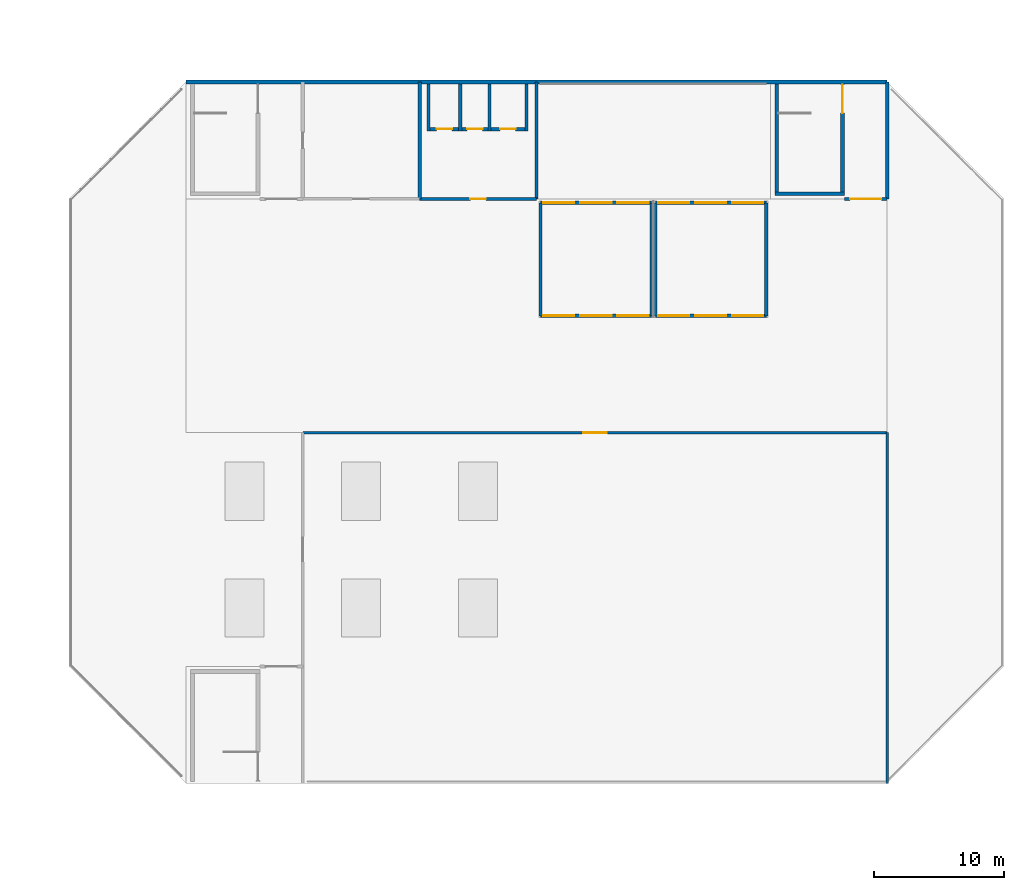
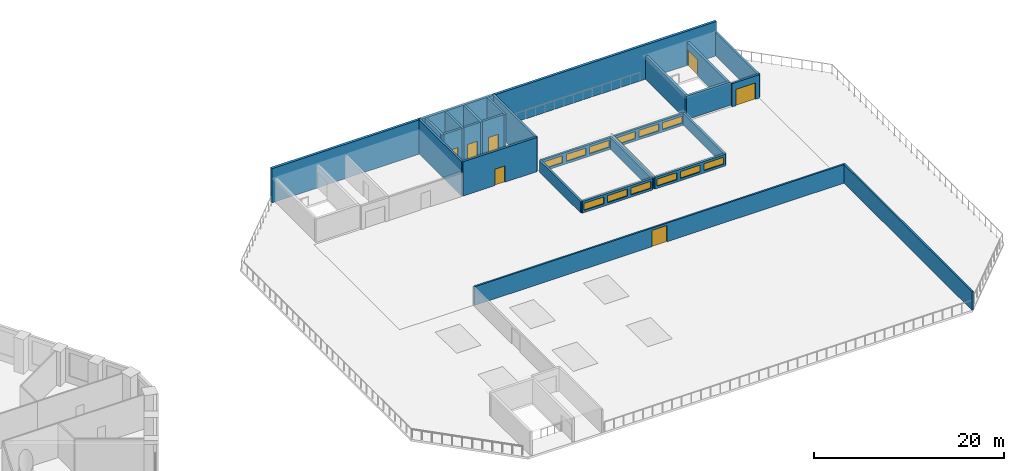
# One storey, part 14 of 21: 24 walls, 12 windows, 7 doors, 19 openings.
"""IFC4 building model written with IfcOpenShell, lengths in metres."""

from ifc_helpers import new_model, si_unit, direction, frame, frame_2d, origin, place, context, subcontext, project, spatial, rectangle, extrude, material, layer, layer_set, type_object, element, fill, save


model = new_model("IFC4")

# Units and contexts
model_context = context("Model", 3, precision=1e-05, world=origin(), true_north=direction((0.0, 1.0)))
body_context = subcontext(model_context, "Body", "Model", "MODEL_VIEW")
ifc_project = project(units=[si_unit("LENGTHUNIT", "METRE"), si_unit("AREAUNIT", "SQUARE_METRE"), si_unit("VOLUMEUNIT", "CUBIC_METRE"), si_unit("PLANEANGLEUNIT", "RADIAN"), si_unit("MASSUNIT", "GRAM", prefix="KILO")], contexts=[model_context])

# Site, building, storey
site_placement = place(None, origin())
site = spatial("IfcSite", under=ifc_project, at=site_placement, CompositionType="ELEMENT")
building_placement = place(site_placement, origin())
building = spatial("IfcBuilding", under=site, at=building_placement, Name="Dhurran Vertical Campus", CompositionType="ELEMENT")
storey_placement = place(building_placement, frame((0.0, 0.0, 20.39990234375)))
storey = spatial("IfcBuildingStorey", under=building, at=storey_placement, Name="L04", CompositionType="ELEMENT", Elevation=20.39990234375)

# Wall
ifc_material_1 = material(Name="Concrete C40/50", Category="concrete")
ifc_layer_1 = layer(ifc_material_1, 0.300048828125)
ifc_layer_set_1 = layer_set([ifc_layer_1], Name="Concrete C40/50")
wall_type_1 = type_object("IfcWallType", Name="hl-head house wall 300", PredefinedType="SHEAR", material=ifc_layer_set_1)
wall_1_placement = place(storey_placement, frame((124.5, 27.0, 0.0), z_axis=(0.0, 0.0, 1.0), x_axis=(-1.0, 0.0, 0.0)))
element("IfcWall", 1, at=wall_1_placement, inside=storey, type_object=wall_type_1, Name="Hall head house wall 001", PredefinedType="SHEAR", context=body_context, shape_type="SweptSolid", body=[
    extrude(rectangle(XDim=54.0, YDim=0.300048828125, at=frame_2d((27.0, 0.0))), origin(), (0.0, 0.0, 1.0), 4.400146484375),
])

# Wall, openings, windows
ifc_material_2 = material(Name="Concrete C40/50", Category="concrete")
ifc_layer_2 = layer(ifc_material_2, 0.25)
ifc_layer_set_2 = layer_set([ifc_layer_2], Name="Concrete C40/50")
wall_type_2 = type_object("IfcWallType", Name="hl-lantern kerb wall 250", PredefinedType="SHEAR", material=ifc_layer_set_2)
wall_2_placement = place(storey_placement, frame((97.800048828125, 9.0, 0.0), z_axis=(0.0, 0.0, 1.0), x_axis=(1.0, 0.0, 0.0)))
wall_2 = element("IfcWall", 2, at=wall_2_placement, inside=storey, type_object=wall_type_2, Name="Lantern 1 kerb wall S", PredefinedType="SHEAR", context=body_context, shape_type="SweptSolid", body=[
    extrude(rectangle(XDim=8.550048828125, YDim=0.25, at=frame_2d((4.27490234375, 0.0))), origin(), (0.0, 0.0, 1.0), 1.5),
])
opening_1_placement = place(wall_2_placement, frame((0.22509765625, 0.0, 0.300048828125)))
opening_1 = element("IfcOpeningElement", 3, at=opening_1_placement, cuts=wall_2, Name="Opening CL01", PredefinedType="OPENING", context=body_context, shape_type="SweptSolid", body=[
    extrude(rectangle(XDim=2.39990234375, YDim=0.89990234375, at=frame_2d((1.199951171875, 0.449951171875))), frame((0.0, 0.135009765625, 0.0), z_axis=(0.0, -1.0, 0.0), x_axis=(1.0, 0.0, 0.0)), (0.0, 0.0, 1.0), 0.27001953125),
])
opening_2_placement = place(wall_2_placement, frame((3.074951171875, 0.0, 0.300048828125)))
opening_2 = element("IfcOpeningElement", 4, at=opening_2_placement, cuts=wall_2, Name="Opening CL02", PredefinedType="OPENING", context=body_context, shape_type="SweptSolid", body=[
    extrude(rectangle(XDim=2.39990234375, YDim=0.89990234375, at=frame_2d((1.199951171875, 0.449951171875))), frame((0.0, 0.135009765625, 0.0), z_axis=(0.0, -1.0, 0.0), x_axis=(1.0, 0.0, 0.0)), (0.0, 0.0, 1.0), 0.27001953125),
])
opening_3_placement = place(wall_2_placement, frame((5.925048828125, 0.0, 0.300048828125)))
opening_3 = element("IfcOpeningElement", 5, at=opening_3_placement, cuts=wall_2, Name="Opening CL03", PredefinedType="OPENING", context=body_context, shape_type="SweptSolid", body=[
    extrude(rectangle(XDim=2.39990234375, YDim=0.89990234375, at=frame_2d((1.199951171875, 0.449951171875))), frame((0.0, 0.135009765625, 0.0), z_axis=(0.0, -1.0, 0.0), x_axis=(1.0, 0.0, 0.0)), (0.0, 0.0, 1.0), 0.27001953125),
])
ifc_material_3 = material(Name="Aluminium", Category="aluminium")
window_type = type_object("IfcWindowType", Name="hl-clerestory window 2400x900", PartitioningType="SINGLE_PANEL", PredefinedType="WINDOW", material=ifc_material_3)
window_1_placement = place(opening_1_placement, origin())
window_1 = element("IfcWindow", 6, at=window_1_placement, inside=storey, type_object=window_type, Name="Clerestory window CL01", OverallHeight=0.89990234375, OverallWidth=2.39990234375, PartitioningType="SINGLE_PANEL", PredefinedType="WINDOW", context=body_context, shape_type="SweptSolid", body=[
    extrude(rectangle(XDim=2.39990234375, YDim=0.89990234375, at=frame_2d((1.199951171875, 0.449951171875))), frame((0.0, 0.030029296875, 0.0), z_axis=(0.0, -1.0, 0.0), x_axis=(1.0, 0.0, 0.0)), (0.0, 0.0, 1.0), 0.06005859375),
])
fill(opening_1, window_1)
window_2_placement = place(opening_2_placement, origin())
window_2 = element("IfcWindow", 7, at=window_2_placement, inside=storey, type_object=window_type, Name="Clerestory window CL02", OverallHeight=0.89990234375, OverallWidth=2.39990234375, PartitioningType="SINGLE_PANEL", PredefinedType="WINDOW", context=body_context, shape_type="SweptSolid", body=[
    extrude(rectangle(XDim=2.39990234375, YDim=0.89990234375, at=frame_2d((1.199951171875, 0.449951171875))), frame((0.0, 0.030029296875, 0.0), z_axis=(0.0, -1.0, 0.0), x_axis=(1.0, 0.0, 0.0)), (0.0, 0.0, 1.0), 0.06005859375),
])
fill(opening_2, window_2)
window_3_placement = place(opening_3_placement, origin())
window_3 = element("IfcWindow", 8, at=window_3_placement, inside=storey, type_object=window_type, Name="Clerestory window CL03", OverallHeight=0.89990234375, OverallWidth=2.39990234375, PartitioningType="SINGLE_PANEL", PredefinedType="WINDOW", context=body_context, shape_type="SweptSolid", body=[
    extrude(rectangle(XDim=2.39990234375, YDim=0.89990234375, at=frame_2d((1.199951171875, 0.449951171875))), frame((0.0, 0.030029296875, 0.0), z_axis=(0.0, -1.0, 0.0), x_axis=(1.0, 0.0, 0.0)), (0.0, 0.0, 1.0), 0.06005859375),
])
fill(opening_3, window_3)

wall_3_placement = place(storey_placement, frame((97.800048828125, 17.699951171875, 0.0), z_axis=(0.0, 0.0, 1.0), x_axis=(1.0, 0.0, 0.0)))
wall_3 = element("IfcWall", 9, at=wall_3_placement, inside=storey, type_object=wall_type_2, Name="Lantern 1 kerb wall N", PredefinedType="SHEAR", context=body_context, shape_type="SweptSolid", body=[
    extrude(rectangle(XDim=8.550048828125, YDim=0.25, at=frame_2d((4.27490234375, 0.0))), origin(), (0.0, 0.0, 1.0), 1.5),
])
opening_4_placement = place(wall_3_placement, frame((0.22509765625, 0.0, 0.300048828125)))
opening_4 = element("IfcOpeningElement", 10, at=opening_4_placement, cuts=wall_3, Name="Opening CL04", PredefinedType="OPENING", context=body_context, shape_type="SweptSolid", body=[
    extrude(rectangle(XDim=2.39990234375, YDim=0.89990234375, at=frame_2d((1.199951171875, 0.449951171875))), frame((0.0, 0.135009765625, 0.0), z_axis=(0.0, -1.0, 0.0), x_axis=(1.0, 0.0, 0.0)), (0.0, 0.0, 1.0), 0.27001953125),
])
opening_5_placement = place(wall_3_placement, frame((3.074951171875, 0.0, 0.300048828125)))
opening_5 = element("IfcOpeningElement", 11, at=opening_5_placement, cuts=wall_3, Name="Opening CL05", PredefinedType="OPENING", context=body_context, shape_type="SweptSolid", body=[
    extrude(rectangle(XDim=2.39990234375, YDim=0.89990234375, at=frame_2d((1.199951171875, 0.449951171875))), frame((0.0, 0.135009765625, 0.0), z_axis=(0.0, -1.0, 0.0), x_axis=(1.0, 0.0, 0.0)), (0.0, 0.0, 1.0), 0.27001953125),
])
opening_6_placement = place(wall_3_placement, frame((5.925048828125, 0.0, 0.300048828125)))
opening_6 = element("IfcOpeningElement", 12, at=opening_6_placement, cuts=wall_3, Name="Opening CL06", PredefinedType="OPENING", context=body_context, shape_type="SweptSolid", body=[
    extrude(rectangle(XDim=2.39990234375, YDim=0.89990234375, at=frame_2d((1.199951171875, 0.449951171875))), frame((0.0, 0.135009765625, 0.0), z_axis=(0.0, -1.0, 0.0), x_axis=(1.0, 0.0, 0.0)), (0.0, 0.0, 1.0), 0.27001953125),
])
window_4_placement = place(opening_4_placement, origin())
window_4 = element("IfcWindow", 13, at=window_4_placement, inside=storey, type_object=window_type, Name="Clerestory window CL04", OverallHeight=0.89990234375, OverallWidth=2.39990234375, PartitioningType="SINGLE_PANEL", PredefinedType="WINDOW", context=body_context, shape_type="SweptSolid", body=[
    extrude(rectangle(XDim=2.39990234375, YDim=0.89990234375, at=frame_2d((1.199951171875, 0.449951171875))), frame((0.0, 0.030029296875, 0.0), z_axis=(0.0, -1.0, 0.0), x_axis=(1.0, 0.0, 0.0)), (0.0, 0.0, 1.0), 0.06005859375),
])
fill(opening_4, window_4)
window_5_placement = place(opening_5_placement, origin())
window_5 = element("IfcWindow", 14, at=window_5_placement, inside=storey, type_object=window_type, Name="Clerestory window CL05", OverallHeight=0.89990234375, OverallWidth=2.39990234375, PartitioningType="SINGLE_PANEL", PredefinedType="WINDOW", context=body_context, shape_type="SweptSolid", body=[
    extrude(rectangle(XDim=2.39990234375, YDim=0.89990234375, at=frame_2d((1.199951171875, 0.449951171875))), frame((0.0, 0.030029296875, 0.0), z_axis=(0.0, -1.0, 0.0), x_axis=(1.0, 0.0, 0.0)), (0.0, 0.0, 1.0), 0.06005859375),
])
fill(opening_5, window_5)
window_6_placement = place(opening_6_placement, origin())
window_6 = element("IfcWindow", 15, at=window_6_placement, inside=storey, type_object=window_type, Name="Clerestory window CL06", OverallHeight=0.89990234375, OverallWidth=2.39990234375, PartitioningType="SINGLE_PANEL", PredefinedType="WINDOW", context=body_context, shape_type="SweptSolid", body=[
    extrude(rectangle(XDim=2.39990234375, YDim=0.89990234375, at=frame_2d((1.199951171875, 0.449951171875))), frame((0.0, 0.030029296875, 0.0), z_axis=(0.0, -1.0, 0.0), x_axis=(1.0, 0.0, 0.0)), (0.0, 0.0, 1.0), 0.06005859375),
])
fill(opening_6, window_6)

# Walls
for number, where, z_axis, x_axis, name in (
    (16, (97.800048828125, 9.0, 0.0), (0.0, 0.0, 1.0), (0.0, 1.0, 0.0), "Lantern 1 kerb wall W"),
    (17, (106.35009765625, 9.0, 0.0), (0.0, 0.0, 1.0), (0.0, 1.0, 0.0), "Lantern 1 kerb wall E"),
):
    element("IfcWall", number, at=place(storey_placement, frame(where, z_axis=z_axis, x_axis=x_axis)), inside=storey, type_object=wall_type_2, Name=name, PredefinedType="SHEAR", context=body_context, shape_type="SweptSolid", body=[
        extrude(rectangle(XDim=8.699951171875, YDim=0.25, at=frame_2d((4.35009765625, 0.0))), origin(), (0.0, 0.0, 1.0), 1.5),
    ])

# Wall, openings, windows
wall_4_placement = place(storey_placement, frame((106.64990234375, 9.0, 0.0), z_axis=(0.0, 0.0, 1.0), x_axis=(1.0, 0.0, 0.0)))
wall_4 = element("IfcWall", 18, at=wall_4_placement, inside=storey, type_object=wall_type_2, Name="Lantern 2 kerb wall S", PredefinedType="SHEAR", context=body_context, shape_type="SweptSolid", body=[
    extrude(rectangle(XDim=8.550048828125, YDim=0.25, at=frame_2d((4.27490234375, 0.0))), origin(), (0.0, 0.0, 1.0), 1.5),
])
opening_7_placement = place(wall_4_placement, frame((0.22509765625, 0.0, 0.300048828125)))
opening_7 = element("IfcOpeningElement", 19, at=opening_7_placement, cuts=wall_4, Name="Opening CL07", PredefinedType="OPENING", context=body_context, shape_type="SweptSolid", body=[
    extrude(rectangle(XDim=2.39990234375, YDim=0.89990234375, at=frame_2d((1.199951171875, 0.449951171875))), frame((0.0, 0.135009765625, 0.0), z_axis=(0.0, -1.0, 0.0), x_axis=(1.0, 0.0, 0.0)), (0.0, 0.0, 1.0), 0.27001953125),
])
opening_8_placement = place(wall_4_placement, frame((3.074951171875, 0.0, 0.300048828125)))
opening_8 = element("IfcOpeningElement", 20, at=opening_8_placement, cuts=wall_4, Name="Opening CL08", PredefinedType="OPENING", context=body_context, shape_type="SweptSolid", body=[
    extrude(rectangle(XDim=2.39990234375, YDim=0.89990234375, at=frame_2d((1.199951171875, 0.449951171875))), frame((0.0, 0.135009765625, 0.0), z_axis=(0.0, -1.0, 0.0), x_axis=(1.0, 0.0, 0.0)), (0.0, 0.0, 1.0), 0.27001953125),
])
opening_9_placement = place(wall_4_placement, frame((5.925048828125, 0.0, 0.300048828125)))
opening_9 = element("IfcOpeningElement", 21, at=opening_9_placement, cuts=wall_4, Name="Opening CL09", PredefinedType="OPENING", context=body_context, shape_type="SweptSolid", body=[
    extrude(rectangle(XDim=2.39990234375, YDim=0.89990234375, at=frame_2d((1.199951171875, 0.449951171875))), frame((0.0, 0.135009765625, 0.0), z_axis=(0.0, -1.0, 0.0), x_axis=(1.0, 0.0, 0.0)), (0.0, 0.0, 1.0), 0.27001953125),
])
window_7_placement = place(opening_7_placement, origin())
window_7 = element("IfcWindow", 22, at=window_7_placement, inside=storey, type_object=window_type, Name="Clerestory window CL07", OverallHeight=0.89990234375, OverallWidth=2.39990234375, PartitioningType="SINGLE_PANEL", PredefinedType="WINDOW", context=body_context, shape_type="SweptSolid", body=[
    extrude(rectangle(XDim=2.39990234375, YDim=0.89990234375, at=frame_2d((1.199951171875, 0.449951171875))), frame((0.0, 0.030029296875, 0.0), z_axis=(0.0, -1.0, 0.0), x_axis=(1.0, 0.0, 0.0)), (0.0, 0.0, 1.0), 0.06005859375),
])
fill(opening_7, window_7)
window_8_placement = place(opening_8_placement, origin())
window_8 = element("IfcWindow", 23, at=window_8_placement, inside=storey, type_object=window_type, Name="Clerestory window CL08", OverallHeight=0.89990234375, OverallWidth=2.39990234375, PartitioningType="SINGLE_PANEL", PredefinedType="WINDOW", context=body_context, shape_type="SweptSolid", body=[
    extrude(rectangle(XDim=2.39990234375, YDim=0.89990234375, at=frame_2d((1.199951171875, 0.449951171875))), frame((0.0, 0.030029296875, 0.0), z_axis=(0.0, -1.0, 0.0), x_axis=(1.0, 0.0, 0.0)), (0.0, 0.0, 1.0), 0.06005859375),
])
fill(opening_8, window_8)
window_9_placement = place(opening_9_placement, origin())
window_9 = element("IfcWindow", 24, at=window_9_placement, inside=storey, type_object=window_type, Name="Clerestory window CL09", OverallHeight=0.89990234375, OverallWidth=2.39990234375, PartitioningType="SINGLE_PANEL", PredefinedType="WINDOW", context=body_context, shape_type="SweptSolid", body=[
    extrude(rectangle(XDim=2.39990234375, YDim=0.89990234375, at=frame_2d((1.199951171875, 0.449951171875))), frame((0.0, 0.030029296875, 0.0), z_axis=(0.0, -1.0, 0.0), x_axis=(1.0, 0.0, 0.0)), (0.0, 0.0, 1.0), 0.06005859375),
])
fill(opening_9, window_9)

wall_5_placement = place(storey_placement, frame((106.64990234375, 17.699951171875, 0.0), z_axis=(0.0, 0.0, 1.0), x_axis=(1.0, 0.0, 0.0)))
wall_5 = element("IfcWall", 25, at=wall_5_placement, inside=storey, type_object=wall_type_2, Name="Lantern 2 kerb wall N", PredefinedType="SHEAR", context=body_context, shape_type="SweptSolid", body=[
    extrude(rectangle(XDim=8.550048828125, YDim=0.25, at=frame_2d((4.27490234375, 0.0))), origin(), (0.0, 0.0, 1.0), 1.5),
])
opening_10_placement = place(wall_5_placement, frame((0.22509765625, 0.0, 0.300048828125)))
opening_10 = element("IfcOpeningElement", 26, at=opening_10_placement, cuts=wall_5, Name="Opening CL10", PredefinedType="OPENING", context=body_context, shape_type="SweptSolid", body=[
    extrude(rectangle(XDim=2.39990234375, YDim=0.89990234375, at=frame_2d((1.199951171875, 0.449951171875))), frame((0.0, 0.135009765625, 0.0), z_axis=(0.0, -1.0, 0.0), x_axis=(1.0, 0.0, 0.0)), (0.0, 0.0, 1.0), 0.27001953125),
])
opening_11_placement = place(wall_5_placement, frame((3.074951171875, 0.0, 0.300048828125)))
opening_11 = element("IfcOpeningElement", 27, at=opening_11_placement, cuts=wall_5, Name="Opening CL11", PredefinedType="OPENING", context=body_context, shape_type="SweptSolid", body=[
    extrude(rectangle(XDim=2.39990234375, YDim=0.89990234375, at=frame_2d((1.199951171875, 0.449951171875))), frame((0.0, 0.135009765625, 0.0), z_axis=(0.0, -1.0, 0.0), x_axis=(1.0, 0.0, 0.0)), (0.0, 0.0, 1.0), 0.27001953125),
])
opening_12_placement = place(wall_5_placement, frame((5.925048828125, 0.0, 0.300048828125)))
opening_12 = element("IfcOpeningElement", 28, at=opening_12_placement, cuts=wall_5, Name="Opening CL12", PredefinedType="OPENING", context=body_context, shape_type="SweptSolid", body=[
    extrude(rectangle(XDim=2.39990234375, YDim=0.89990234375, at=frame_2d((1.199951171875, 0.449951171875))), frame((0.0, 0.135009765625, 0.0), z_axis=(0.0, -1.0, 0.0), x_axis=(1.0, 0.0, 0.0)), (0.0, 0.0, 1.0), 0.27001953125),
])
window_10_placement = place(opening_10_placement, origin())
window_10 = element("IfcWindow", 29, at=window_10_placement, inside=storey, type_object=window_type, Name="Clerestory window CL10", OverallHeight=0.89990234375, OverallWidth=2.39990234375, PartitioningType="SINGLE_PANEL", PredefinedType="WINDOW", context=body_context, shape_type="SweptSolid", body=[
    extrude(rectangle(XDim=2.39990234375, YDim=0.89990234375, at=frame_2d((1.199951171875, 0.449951171875))), frame((0.0, 0.030029296875, 0.0), z_axis=(0.0, -1.0, 0.0), x_axis=(1.0, 0.0, 0.0)), (0.0, 0.0, 1.0), 0.06005859375),
])
fill(opening_10, window_10)
window_11_placement = place(opening_11_placement, origin())
window_11 = element("IfcWindow", 30, at=window_11_placement, inside=storey, type_object=window_type, Name="Clerestory window CL11", OverallHeight=0.89990234375, OverallWidth=2.39990234375, PartitioningType="SINGLE_PANEL", PredefinedType="WINDOW", context=body_context, shape_type="SweptSolid", body=[
    extrude(rectangle(XDim=2.39990234375, YDim=0.89990234375, at=frame_2d((1.199951171875, 0.449951171875))), frame((0.0, 0.030029296875, 0.0), z_axis=(0.0, -1.0, 0.0), x_axis=(1.0, 0.0, 0.0)), (0.0, 0.0, 1.0), 0.06005859375),
])
fill(opening_11, window_11)
window_12_placement = place(opening_12_placement, origin())
window_12 = element("IfcWindow", 31, at=window_12_placement, inside=storey, type_object=window_type, Name="Clerestory window CL12", OverallHeight=0.89990234375, OverallWidth=2.39990234375, PartitioningType="SINGLE_PANEL", PredefinedType="WINDOW", context=body_context, shape_type="SweptSolid", body=[
    extrude(rectangle(XDim=2.39990234375, YDim=0.89990234375, at=frame_2d((1.199951171875, 0.449951171875))), frame((0.0, 0.030029296875, 0.0), z_axis=(0.0, -1.0, 0.0), x_axis=(1.0, 0.0, 0.0)), (0.0, 0.0, 1.0), 0.06005859375),
])
fill(opening_12, window_12)

# Walls
for number, where, z_axis, x_axis, name in (
    (32, (106.64990234375, 9.0, 0.0), (0.0, 0.0, 1.0), (0.0, 1.0, 0.0), "Lantern 2 kerb wall W"),
    (33, (115.199951171875, 9.0, 0.0), (0.0, 0.0, 1.0), (0.0, 1.0, 0.0), "Lantern 2 kerb wall E"),
):
    element("IfcWall", number, at=place(storey_placement, frame(where, z_axis=z_axis, x_axis=x_axis)), inside=storey, type_object=wall_type_2, Name=name, PredefinedType="SHEAR", context=body_context, shape_type="SweptSolid", body=[
        extrude(rectangle(XDim=8.699951171875, YDim=0.25, at=frame_2d((4.35009765625, 0.0))), origin(), (0.0, 0.0, 1.0), 1.5),
    ])
ifc_material_4 = material(Name="Concrete C40/50", Category="concrete")
ifc_layer_3 = layer(ifc_material_4, 0.25)
ifc_layer_set_3 = layer_set([ifc_layer_3], Name="Concrete C40/50")
wall_type_3 = type_object("IfcWallType", Name="hl-lift shaft wall 250", PredefinedType="SHEAR", material=ifc_layer_set_3)
for number, where, z_axis, x_axis, name in (
    (34, (89.175048828125, 23.25, 0.0), (0.0, 0.0, 1.0), (0.0, 1.0, 0.0), "Lift shaft wall V0 L04"),
    (35, (91.625, 23.25, 0.0), (0.0, 0.0, 1.0), (0.0, 1.0, 0.0), "Lift shaft wall V1 L04"),
    (36, (93.875, 23.25, 0.0), (0.0, 0.0, 1.0), (0.0, 1.0, 0.0), "Lift shaft wall V2 L04"),
    (37, (96.72509765625, 23.25, 0.0), (0.0, 0.0, 1.0), (0.0, 1.0, 0.0), "Lift shaft wall V3 L04"),
):
    element("IfcWall", number, at=place(storey_placement, frame(where, z_axis=z_axis, x_axis=x_axis)), inside=storey, type_object=wall_type_3, Name=name, PredefinedType="SHEAR", context=body_context, shape_type="SweptSolid", body=[
        extrude(rectangle(XDim=3.60009765625, YDim=0.25, at=frame_2d((1.800048828125, 0.0))), origin(), (0.0, 0.0, 1.0), 4.400146484375),
    ])

# Wall, openings, doors
wall_6_placement = place(storey_placement, frame((89.050048828125, 23.375, 0.0), z_axis=(0.0, 0.0, 1.0), x_axis=(1.0, 0.0, 0.0)))
wall_6 = element("IfcWall", 38, at=wall_6_placement, inside=storey, type_object=wall_type_3, Name="Lift shaft front wall L04", PredefinedType="SHEAR", context=body_context, shape_type="SweptSolid", body=[
    extrude(rectangle(XDim=7.800048828125, YDim=0.25, at=frame_2d((3.89990234375, 0.0))), origin(), (0.0, 0.0, 1.0), 4.400146484375),
])
opening_13_placement = place(wall_6_placement, frame((0.75, 0.0, 0.0)))
opening_13 = element("IfcOpeningElement", 39, at=opening_13_placement, cuts=wall_6, Name="Opening LD", PredefinedType="OPENING", context=body_context, shape_type="SweptSolid", body=[
    extrude(rectangle(XDim=1.199951171875, YDim=2.10009765625, at=frame_2d((0.60009765625, 1.050048828125))), frame((0.0, 0.135009765625, 0.0), z_axis=(0.0, -1.0, 0.0), x_axis=(1.0, 0.0, 0.0)), (0.0, 0.0, 1.0), 0.27001953125),
])
opening_14_placement = place(wall_6_placement, frame((3.10009765625, 0.0, 0.0)))
opening_14 = element("IfcOpeningElement", 40, at=opening_14_placement, cuts=wall_6, Name="Opening LD", PredefinedType="OPENING", context=body_context, shape_type="SweptSolid", body=[
    extrude(rectangle(XDim=1.199951171875, YDim=2.10009765625, at=frame_2d((0.60009765625, 1.050048828125))), frame((0.0, 0.135009765625, 0.0), z_axis=(0.0, -1.0, 0.0), x_axis=(1.0, 0.0, 0.0)), (0.0, 0.0, 1.0), 0.27001953125),
])
opening_15_placement = place(wall_6_placement, frame((5.64990234375, 0.0, 0.0)))
opening_15 = element("IfcOpeningElement", 41, at=opening_15_placement, cuts=wall_6, Name="Opening LD", PredefinedType="OPENING", context=body_context, shape_type="SweptSolid", body=[
    extrude(rectangle(XDim=1.199951171875, YDim=2.10009765625, at=frame_2d((0.60009765625, 1.050048828125))), frame((0.0, 0.135009765625, 0.0), z_axis=(0.0, -1.0, 0.0), x_axis=(1.0, 0.0, 0.0)), (0.0, 0.0, 1.0), 0.27001953125),
])
ifc_material_5 = material(Name="Stainless steel landing door", Category="steel")
door_type_1 = type_object("IfcDoorType", Name="co-D-LANDING 1200x2100", OperationType="DOUBLE_DOOR_SLIDING", PredefinedType="DOOR", material=ifc_material_5)
door_1_placement = place(opening_13_placement, origin())
door_1 = element("IfcDoor", 42, at=door_1_placement, inside=storey, type_object=door_type_1, Name="Landing door HLF1 L04", OperationType="DOUBLE_DOOR_SLIDING", OverallHeight=2.10009765625, OverallWidth=1.199951171875, PredefinedType="DOOR", context=body_context, shape_type="SweptSolid", body=[
    extrude(rectangle(XDim=1.199951171875, YDim=2.10009765625, at=frame_2d((0.60009765625, 1.050048828125))), frame((0.0, 0.02490234375, 0.0), z_axis=(0.0, -1.0, 0.0), x_axis=(1.0, 0.0, 0.0)), (0.0, 0.0, 1.0), 0.050048828125),
])
fill(opening_13, door_1)
door_2_placement = place(opening_14_placement, origin())
door_2 = element("IfcDoor", 43, at=door_2_placement, inside=storey, type_object=door_type_1, Name="Landing door HLF2 L04", OperationType="DOUBLE_DOOR_SLIDING", OverallHeight=2.10009765625, OverallWidth=1.199951171875, PredefinedType="DOOR", context=body_context, shape_type="SweptSolid", body=[
    extrude(rectangle(XDim=1.199951171875, YDim=2.10009765625, at=frame_2d((0.60009765625, 1.050048828125))), frame((0.0, 0.02490234375, 0.0), z_axis=(0.0, -1.0, 0.0), x_axis=(1.0, 0.0, 0.0)), (0.0, 0.0, 1.0), 0.050048828125),
])
fill(opening_14, door_2)
door_3_placement = place(opening_15_placement, origin())
door_3 = element("IfcDoor", 44, at=door_3_placement, inside=storey, type_object=door_type_1, Name="Landing door HLF3 L04", OperationType="DOUBLE_DOOR_SLIDING", OverallHeight=2.10009765625, OverallWidth=1.199951171875, PredefinedType="DOOR", context=body_context, shape_type="SweptSolid", body=[
    extrude(rectangle(XDim=1.199951171875, YDim=2.10009765625, at=frame_2d((0.60009765625, 1.050048828125))), frame((0.0, 0.02490234375, 0.0), z_axis=(0.0, -1.0, 0.0), x_axis=(1.0, 0.0, 0.0)), (0.0, 0.0, 1.0), 0.050048828125),
])
fill(opening_15, door_3)

# Wall
ifc_material_6 = material(Name="Masonry blockwork", Category="masonry")
ifc_layer_4 = layer(ifc_material_6, 0.25)
ifc_layer_set_4 = layer_set([ifc_layer_4], Name="Masonry blockwork")
wall_type_4 = type_object("IfcWallType", Name="hl-partition blockwork 250 EI 120", PredefinedType="PARTITIONING", material=ifc_layer_set_4)
wall_7_placement = place(storey_placement, frame((88.5, 18.0, 0.0), z_axis=(0.0, 0.0, 1.0), x_axis=(0.0, 1.0, 0.0)))
element("IfcWall", 45, at=wall_7_placement, inside=storey, type_object=wall_type_4, Name="Hall partition L04-008", PredefinedType="PARTITIONING", context=body_context, shape_type="SweptSolid", body=[
    extrude(rectangle(XDim=9.0, YDim=0.25, at=frame_2d((4.5, 0.0))), origin(), (0.0, 0.0, 1.0), 4.400146484375),
])

# Wall, opening, door
wall_8_placement = place(storey_placement, frame((88.5, 18.0, 0.0), z_axis=(0.0, 0.0, 1.0), x_axis=(1.0, 0.0, 0.0)))
wall_8 = element("IfcWall", 46, at=wall_8_placement, inside=storey, type_object=wall_type_4, Name="Hall partition L04-009", PredefinedType="PARTITIONING", context=body_context, shape_type="SweptSolid", body=[
    extrude(rectangle(XDim=9.0, YDim=0.25, at=frame_2d((4.5, 0.0))), origin(), (0.0, 0.0, 1.0), 4.400146484375),
])
opening_16_placement = place(wall_8_placement, frame((3.89990234375, 0.0, 0.0)))
opening_16 = element("IfcOpeningElement", 47, at=opening_16_placement, cuts=wall_8, Name="Opening HD402", PredefinedType="OPENING", context=body_context, shape_type="SweptSolid", body=[
    extrude(rectangle(XDim=1.199951171875, YDim=2.10009765625, at=frame_2d((0.60009765625, 1.050048828125))), frame((0.0, 0.135009765625, 0.0), z_axis=(0.0, -1.0, 0.0), x_axis=(1.0, 0.0, 0.0)), (0.0, 0.0, 1.0), 0.27001953125),
])
ifc_material_7 = material(Name="Fire-rated steel door set", Category="steel")
door_type_2 = type_object("IfcDoorType", Name="hl-door 1200x2100 single FD60", OperationType="NOTDEFINED", PredefinedType="DOOR", material=ifc_material_7)
door_4_placement = place(opening_16_placement, origin())
door_4 = element("IfcDoor", 48, at=door_4_placement, inside=storey, type_object=door_type_2, Name="Door HD402", OperationType="SINGLE_SWING_RIGHT", OverallHeight=2.10009765625, OverallWidth=1.199951171875, PredefinedType="DOOR", context=body_context, shape_type="SweptSolid", body=[
    extrude(rectangle(XDim=1.199951171875, YDim=2.10009765625, at=frame_2d((0.60009765625, 1.050048828125))), frame((0.0, 0.02490234375, 0.0), z_axis=(0.0, -1.0, 0.0), x_axis=(1.0, 0.0, 0.0)), (0.0, 0.0, 1.0), 0.050048828125),
])
fill(opening_16, door_4)

# Wall
wall_9_placement = place(storey_placement, frame((97.5, 18.0, 0.0), z_axis=(0.0, 0.0, 1.0), x_axis=(0.0, 1.0, 0.0)))
element("IfcWall", 49, at=wall_9_placement, inside=storey, type_object=wall_type_4, Name="Hall partition L04-010", PredefinedType="PARTITIONING", context=body_context, shape_type="SweptSolid", body=[
    extrude(rectangle(XDim=9.0, YDim=0.25, at=frame_2d((4.5, 0.0))), origin(), (0.0, 0.0, 1.0), 4.400146484375),
])

# Wall, opening, door
wall_10_placement = place(storey_placement, frame((121.199951171875, 18.0, 0.0), z_axis=(0.0, 0.0, 1.0), x_axis=(1.0, 0.0, 0.0)))
wall_10 = element("IfcWall", 50, at=wall_10_placement, inside=storey, type_object=wall_type_4, Name="Hall partition L04-011", PredefinedType="PARTITIONING", context=body_context, shape_type="SweptSolid", body=[
    extrude(rectangle(XDim=3.300048828125, YDim=0.25, at=frame_2d((1.64990234375, 0.0))), origin(), (0.0, 0.0, 1.0), 3.0),
])
opening_17_placement = place(wall_10_placement, frame((0.449951171875, 0.0, 0.0)))
opening_17 = element("IfcOpeningElement", 51, at=opening_17_placement, cuts=wall_10, Name="Opening HD403", PredefinedType="OPENING", context=body_context, shape_type="SweptSolid", body=[
    extrude(rectangle(XDim=2.39990234375, YDim=2.10009765625, at=frame_2d((1.199951171875, 1.050048828125))), frame((0.0, 0.135009765625, 0.0), z_axis=(0.0, -1.0, 0.0), x_axis=(1.0, 0.0, 0.0)), (0.0, 0.0, 1.0), 0.27001953125),
])
ifc_material_8 = material(Name="Fire-rated steel door set", Category="steel")
door_type_3 = type_object("IfcDoorType", Name="hl-door 2400x2100 double FD90", OperationType="NOTDEFINED", PredefinedType="DOOR", material=ifc_material_8)
door_5_placement = place(opening_17_placement, origin())
door_5 = element("IfcDoor", 52, at=door_5_placement, inside=storey, type_object=door_type_3, Name="Door HD403", OperationType="DOUBLE_DOOR_SINGLE_SWING", OverallHeight=2.10009765625, OverallWidth=2.39990234375, PredefinedType="DOOR", context=body_context, shape_type="SweptSolid", body=[
    extrude(rectangle(XDim=2.39990234375, YDim=2.10009765625, at=frame_2d((1.199951171875, 1.050048828125))), frame((0.0, 0.02490234375, 0.0), z_axis=(0.0, -1.0, 0.0), x_axis=(1.0, 0.0, 0.0)), (0.0, 0.0, 1.0), 0.050048828125),
])
fill(opening_17, door_5)

# Wall
wall_11_placement = place(storey_placement, frame((124.5, 18.0, 0.0), z_axis=(0.0, 0.0, 1.0), x_axis=(0.0, 1.0, 0.0)))
element("IfcWall", 53, at=wall_11_placement, inside=storey, type_object=wall_type_4, Name="Hall partition L04-013", PredefinedType="PARTITIONING", context=body_context, shape_type="SweptSolid", body=[
    extrude(rectangle(XDim=9.0, YDim=0.25, at=frame_2d((4.5, 0.0))), origin(), (0.0, 0.0, 1.0), 3.0),
])

# Wall, opening, door
ifc_material_9 = material(Name="Concrete C40/50", Category="concrete")
ifc_layer_5 = layer(ifc_material_9, 0.199951171875)
ifc_layer_set_5 = layer_set([ifc_layer_5], Name="Concrete C40/50")
wall_type_5 = type_object("IfcWallType", Name="hl-plant screen wall 200", PredefinedType="SOLIDWALL", material=ifc_layer_set_5)
wall_12_placement = place(storey_placement, frame((79.5, 0.0, 0.0), z_axis=(0.0, 0.0, 1.0), x_axis=(1.0, 0.0, 0.0)))
wall_12 = element("IfcWall", 54, at=wall_12_placement, inside=storey, type_object=wall_type_5, Name="Hall partition L04-005", PredefinedType="SOLIDWALL", context=body_context, shape_type="SweptSolid", body=[
    extrude(rectangle(XDim=45.0, YDim=0.199951171875, at=frame_2d((22.5, 0.0))), origin(), (0.0, 0.0, 1.0), 2.400146484375),
])
opening_18_placement = place(wall_12_placement, frame((21.60009765625, 0.0, 0.0)))
opening_18 = element("IfcOpeningElement", 55, at=opening_18_placement, cuts=wall_12, Name="Opening HD407", PredefinedType="OPENING", context=body_context, shape_type="SweptSolid", body=[
    extrude(rectangle(XDim=1.800048828125, YDim=2.10009765625, at=frame_2d((0.89990234375, 1.050048828125))), frame((0.0, 0.10986328125, 0.0), z_axis=(0.0, -1.0, 0.0), x_axis=(1.0, 0.0, 0.0)), (0.0, 0.0, 1.0), 0.219970703125),
])
ifc_material_10 = material(Name="Fire-rated steel door set", Category="steel")
door_type_4 = type_object("IfcDoorType", Name="hl-door 1800x2100 double FD90", OperationType="NOTDEFINED", PredefinedType="DOOR", material=ifc_material_10)
door_6_placement = place(opening_18_placement, origin())
door_6 = element("IfcDoor", 56, at=door_6_placement, inside=storey, type_object=door_type_4, Name="Door HD407", OperationType="DOUBLE_DOOR_SINGLE_SWING", OverallHeight=2.10009765625, OverallWidth=1.800048828125, PredefinedType="DOOR", context=body_context, shape_type="SweptSolid", body=[
    extrude(rectangle(XDim=1.800048828125, YDim=2.10009765625, at=frame_2d((0.89990234375, 1.050048828125))), frame((0.0, 0.02490234375, 0.0), z_axis=(0.0, -1.0, 0.0), x_axis=(1.0, 0.0, 0.0)), (0.0, 0.0, 1.0), 0.050048828125),
])
fill(opening_18, door_6)

# Walls
wall_13_placement = place(storey_placement, frame((124.5, -27.0, 0.0), z_axis=(0.0, 0.0, 1.0), x_axis=(0.0, 1.0, 0.0)))
element("IfcWall", 57, at=wall_13_placement, inside=storey, type_object=wall_type_5, Name="Hall partition L04-012", PredefinedType="SOLIDWALL", context=body_context, shape_type="SweptSolid", body=[
    extrude(rectangle(XDim=27.0, YDim=0.199951171875, at=frame_2d((13.5, 0.0))), origin(), (0.0, 0.0, 1.0), 2.400146484375),
])
ifc_material_11 = material(Name="Concrete C40/50", Category="concrete")
ifc_layer_6 = layer(ifc_material_11, 0.300048828125)
ifc_layer_set_6 = layer_set([ifc_layer_6], Name="Concrete C40/50")
wall_type_6 = type_object("IfcWallType", Name="hl-stair shaft wall 300", PredefinedType="SHEAR", material=ifc_layer_set_6)
wall_14_placement = place(storey_placement, frame((116.0, 26.85009765625, 0.0), z_axis=(0.0, 0.0, 1.0), x_axis=(0.0, -1.0, 0.0)))
element("IfcWall", 58, at=wall_14_placement, inside=storey, type_object=wall_type_6, Name="Stair shaft wall HST2 W L04", PredefinedType="SHEAR", context=body_context, shape_type="SweptSolid", body=[
    extrude(rectangle(XDim=8.300048828125, YDim=0.300048828125, at=frame_2d((4.14990234375, 0.0))), origin(), (0.0, 0.0, 1.0), 3.0),
])

# Wall, opening, door
wall_15_placement = place(storey_placement, frame((121.050048828125, 26.85009765625, 0.0), z_axis=(0.0, 0.0, 1.0), x_axis=(0.0, -1.0, 0.0)))
wall_15 = element("IfcWall", 59, at=wall_15_placement, inside=storey, type_object=wall_type_6, Name="Stair shaft wall HST2 E L04", PredefinedType="SHEAR", context=body_context, shape_type="SweptSolid", body=[
    extrude(rectangle(XDim=8.300048828125, YDim=0.300048828125, at=frame_2d((4.14990234375, 0.0))), origin(), (0.0, 0.0, 1.0), 3.0),
])
opening_19_placement = place(wall_15_placement, frame((0.050048828125, 0.0, 0.0)))
opening_19 = element("IfcOpeningElement", 60, at=opening_19_placement, cuts=wall_15, Name="Opening HDS42", PredefinedType="OPENING", context=body_context, shape_type="SweptSolid", body=[
    extrude(rectangle(XDim=2.199951171875, YDim=2.10009765625, at=frame_2d((1.10009765625, 1.050048828125))), frame((0.0, 0.159912109375, 0.0), z_axis=(0.0, -1.0, 0.0), x_axis=(1.0, 0.0, 0.0)), (0.0, 0.0, 1.0), 0.320068359375),
])
ifc_material_12 = material(Name="Fire-rated steel door set", Category="steel")
door_type_5 = type_object("IfcDoorType", Name="hl-door 2200x2100 double FD90", OperationType="NOTDEFINED", PredefinedType="DOOR", material=ifc_material_12)
door_7_placement = place(opening_19_placement, origin())
door_7 = element("IfcDoor", 61, at=door_7_placement, inside=storey, type_object=door_type_5, Name="Door HDS42", OperationType="DOUBLE_DOOR_SINGLE_SWING", OverallHeight=2.10009765625, OverallWidth=2.199951171875, PredefinedType="DOOR", context=body_context, shape_type="SweptSolid", body=[
    extrude(rectangle(XDim=2.199951171875, YDim=2.10009765625, at=frame_2d((1.10009765625, 1.050048828125))), frame((0.0, 0.02490234375, 0.0), z_axis=(0.0, -1.0, 0.0), x_axis=(1.0, 0.0, 0.0)), (0.0, 0.0, 1.0), 0.050048828125),
])
fill(opening_19, door_7)

# Wall
wall_16_placement = place(storey_placement, frame((115.85009765625, 18.39990234375, 0.0), z_axis=(0.0, 0.0, 1.0), x_axis=(1.0, 0.0, 0.0)))
element("IfcWall", 62, at=wall_16_placement, inside=storey, type_object=wall_type_6, Name="Stair shaft wall HST2 F L04", PredefinedType="SHEAR", context=body_context, shape_type="SweptSolid", body=[
    extrude(rectangle(XDim=5.349853515625, YDim=0.300048828125, at=frame_2d((2.6748046875, 0.0))), origin(), (0.0, 0.0, 1.0), 3.0),
])

save(model, "model.ifc")
